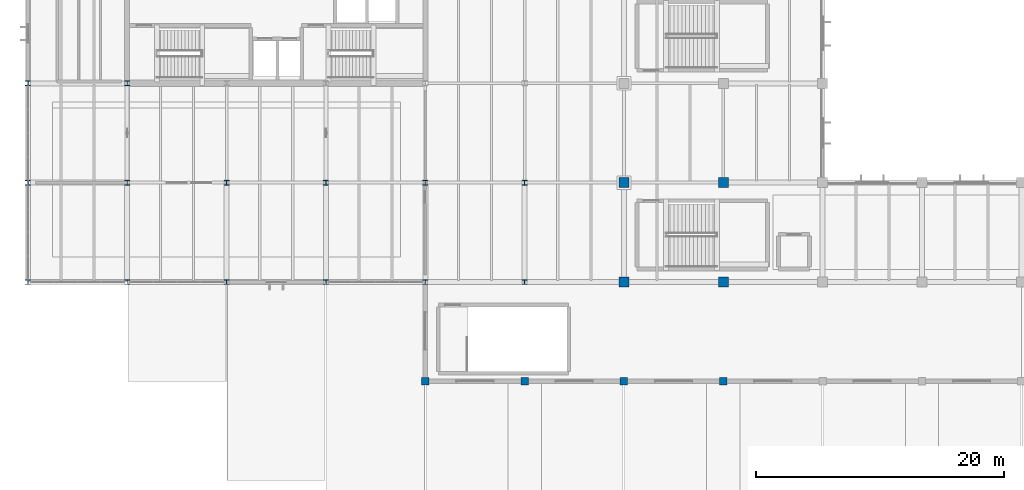
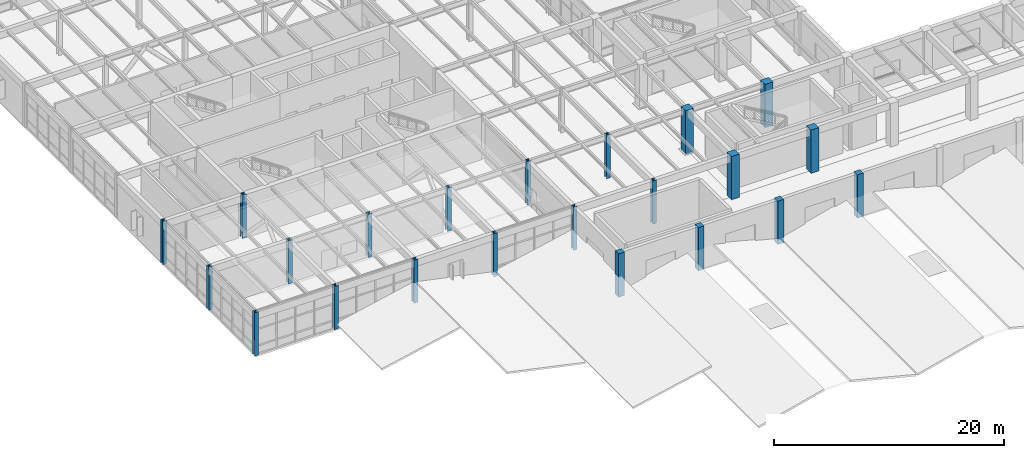
# One storey, part 1 of 60: 22 columns.
"""IFC4 building model written with IfcOpenShell, lengths in metres."""

from ifc_helpers import new_model, si_unit, direction, frame, origin, origin_2d, place, context, subcontext, project, spatial, rectangle, i_section, extrude, material, material_profile, profile_set, type_object, element, save


model = new_model("IFC4")

# Units and contexts
model_context = context("Model", 3, precision=1e-05, world=origin(), true_north=direction((0.0, 1.0)))
body_context = subcontext(model_context, "Body", "Model", "MODEL_VIEW")
ifc_project = project(units=[si_unit("LENGTHUNIT", "METRE"), si_unit("AREAUNIT", "SQUARE_METRE"), si_unit("VOLUMEUNIT", "CUBIC_METRE"), si_unit("PLANEANGLEUNIT", "RADIAN"), si_unit("MASSUNIT", "GRAM", prefix="KILO")], contexts=[model_context])

# Site, building, storey
site_placement = place(None, origin())
site = spatial("IfcSite", under=ifc_project, at=site_placement, CompositionType="ELEMENT")
building_placement = place(site_placement, origin())
building = spatial("IfcBuilding", under=site, at=building_placement, Name="Varnela Railside Interchange", CompositionType="ELEMENT")
storey_placement = place(building_placement, frame((0.0, 0.0, 6.300048828125)))
storey = spatial("IfcBuildingStorey", under=building, at=storey_placement, Name="L01", CompositionType="ELEMENT", Elevation=6.300048828125)

# Columns
ifc_material_1 = material(Name="Concrete C50", Category="concrete")
ifc_material_profile_1 = material_profile(ifc_material_1, rectangle(XDim=0.800048828125, YDim=0.800048828125, at=origin_2d()), Name="RC 800x800")
ifc_profile_set_1 = profile_set([ifc_material_profile_1], Name="Concrete C50")
column_type_1 = type_object("IfcColumnType", Name="Podium Concourse Column C-03", PredefinedType="COLUMN", material=ifc_profile_set_1)
for number, where, z_axis, x_axis, name in (
    (1, (52.0, 38.0, 0.0), (0.0, 0.0, 1.0), (1.0, 0.0, 0.0), "Column C-03 (L01) (CL-0690)"),
    (2, (52.0, 46.0, 0.0), (0.0, 0.0, 1.0), (1.0, 0.0, 0.0), "Column C-03 (L01) (CL-0691)"),
    (3, (60.0, 38.0, 0.0), (0.0, 0.0, 1.0), (1.0, 0.0, 0.0), "Column C-03 (L01) (CL-0699)"),
    (4, (60.0, 46.0, 0.0), (0.0, 0.0, 1.0), (1.0, 0.0, 0.0), "Column C-03 (L01) (CL-0700)"),
):
    element("IfcColumn", number, at=place(storey_placement, frame(where, z_axis=z_axis, x_axis=x_axis)), inside=storey, type_object=column_type_1, Name=name, PredefinedType="COLUMN", context=body_context, shape_type="SweptSolid", body=[
        extrude(rectangle(XDim=0.800048828125, YDim=0.800048828125, at=origin_2d()), origin(), (0.0, 0.0, 1.0), 4.599853515625),
    ])
ifc_material_profile_2 = material_profile(ifc_material_1, rectangle(XDim=0.60009765625, YDim=0.60009765625, at=origin_2d()), Name="RC 600x600")
ifc_profile_set_2 = profile_set([ifc_material_profile_2], Name="Concrete C50")
column_type_2 = type_object("IfcColumnType", Name="Podium Mezzanine Column C-01", PredefinedType="COLUMN", material=ifc_profile_set_2)
for number, where, z_axis, x_axis, name in (
    (5, (36.0, 30.0, 0.0), (0.0, 0.0, 1.0), (1.0, 0.0, 0.0), "Column C-01 (L01) (CL-0671)"),
    (6, (44.0, 30.0, 0.0), (0.0, 0.0, 1.0), (1.0, 0.0, 0.0), "Column C-01 (L01) (CL-0680)"),
    (7, (52.0, 30.0, 0.0), (0.0, 0.0, 1.0), (1.0, 0.0, 0.0), "Column C-01 (L01) (CL-0689)"),
    (8, (60.0, 30.0, 0.0), (0.0, 0.0, 1.0), (1.0, 0.0, 0.0), "Column C-01 (L01) (CL-0698)"),
):
    element("IfcColumn", number, at=place(storey_placement, frame(where, z_axis=z_axis, x_axis=x_axis)), inside=storey, type_object=column_type_2, Name=name, PredefinedType="COLUMN", context=body_context, shape_type="SweptSolid", body=[
        extrude(rectangle(XDim=0.60009765625, YDim=0.60009765625, at=origin_2d()), origin(), (0.0, 0.0, 1.0), 4.599853515625),
    ])
ifc_material_2 = material(Name="Steel AR 350 (350 MPa)", Category="steel")
ifc_material_profile_3 = material_profile(ifc_material_2, i_section(OverallWidth=0.40087890625, OverallDepth=0.39892578125, WebThickness=0.02490234375, FlangeThickness=0.03955078125, at=origin_2d()), Name="W360x314")
ifc_profile_set_3 = profile_set([ifc_material_profile_3], Name="Steel AR 350 (350 MPa)")
column_type_3 = type_object("IfcColumnType", Name="Superstructure Steel Col C-15", PredefinedType="COLUMN", material=ifc_profile_set_3)
column_placement = place(storey_placement, frame((12.0, 54.0, 0.0), z_axis=(0.0, 0.0, 1.0), x_axis=(1.0, 0.0, 0.0)))
element("IfcColumn", 9, at=column_placement, inside=storey, type_object=column_type_3, Name="Column C-15 (L01) (CL-0651)", PredefinedType="COLUMN", context=body_context, shape_type="SweptSolid", body=[
    extrude(i_section(OverallWidth=0.40087890625, OverallDepth=0.39892578125, WebThickness=0.02490234375, FlangeThickness=0.03955078125, at=origin_2d()), origin(), (0.0, 0.0, 1.0), 4.599853515625),
])
ifc_material_profile_4 = material_profile(ifc_material_2, i_section(OverallWidth=0.39794921875, OverallDepth=0.386962890625, WebThickness=0.02099609375, FlangeThickness=0.033203125, at=origin_2d()), Name="W360x262")
ifc_profile_set_4 = profile_set([ifc_material_profile_4], Name="Steel AR 350 (350 MPa)")
column_type_4 = type_object("IfcColumnType", Name="Superstructure Steel Col C-16", PredefinedType="COLUMN", material=ifc_profile_set_4)
for number, where, z_axis, x_axis, name in (
    (10, (4.0, 38.0, 0.0), (0.0, 0.0, 1.0), (1.0, 0.0, 0.0), "Column C-16 (L01) (CL-0633)"),
    (11, (4.0, 46.0, 0.0), (0.0, 0.0, 1.0), (1.0, 0.0, 0.0), "Column C-16 (L01) (CL-0634)"),
    (12, (4.0, 54.0, 0.0), (0.0, 0.0, 1.0), (1.0, 0.0, 0.0), "Column C-16 (L01) (CL-0635)"),
    (13, (12.0, 38.0, 0.0), (0.0, 0.0, 1.0), (1.0, 0.0, 0.0), "Column C-16 (L01) (CL-0649)"),
    (14, (12.0, 46.0, 0.0), (0.0, 0.0, 1.0), (1.0, 0.0, 0.0), "Column C-16 (L01) (CL-0650)"),
    (15, (20.0, 38.0, 0.0), (0.0, 0.0, 1.0), (1.0, 0.0, 0.0), "Column C-16 (L01) (CL-0657)"),
    (16, (20.0, 46.0, 0.0), (0.0, 0.0, 1.0), (1.0, 0.0, 0.0), "Column C-16 (L01) (CL-0658)"),
    (17, (28.0, 38.0, 0.0), (0.0, 0.0, 1.0), (1.0, 0.0, 0.0), "Column C-16 (L01) (CL-0664)"),
    (18, (28.0, 46.0, 0.0), (0.0, 0.0, 1.0), (1.0, 0.0, 0.0), "Column C-16 (L01) (CL-0665)"),
    (19, (36.0, 38.0, 0.0), (0.0, 0.0, 1.0), (1.0, 0.0, 0.0), "Column C-16 (L01) (CL-0672)"),
    (20, (36.0, 46.0, 0.0), (0.0, 0.0, 1.0), (1.0, 0.0, 0.0), "Column C-16 (L01) (CL-0673)"),
    (21, (44.0, 38.0, 0.0), (0.0, 0.0, 1.0), (1.0, 0.0, 0.0), "Column C-16 (L01) (CL-0681)"),
    (22, (44.0, 46.0, 0.0), (0.0, 0.0, 1.0), (1.0, 0.0, 0.0), "Column C-16 (L01) (CL-0682)"),
):
    element("IfcColumn", number, at=place(storey_placement, frame(where, z_axis=z_axis, x_axis=x_axis)), inside=storey, type_object=column_type_4, Name=name, PredefinedType="COLUMN", context=body_context, shape_type="SweptSolid", body=[
        extrude(i_section(OverallWidth=0.39794921875, OverallDepth=0.386962890625, WebThickness=0.02099609375, FlangeThickness=0.033203125, at=origin_2d()), origin(), (0.0, 0.0, 1.0), 4.599853515625),
    ])

save(model, "model.ifc")
